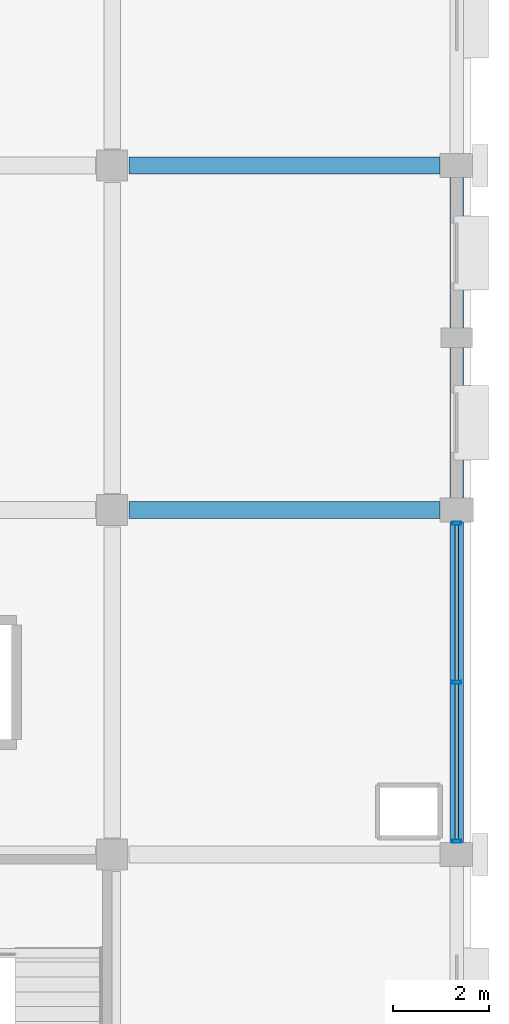
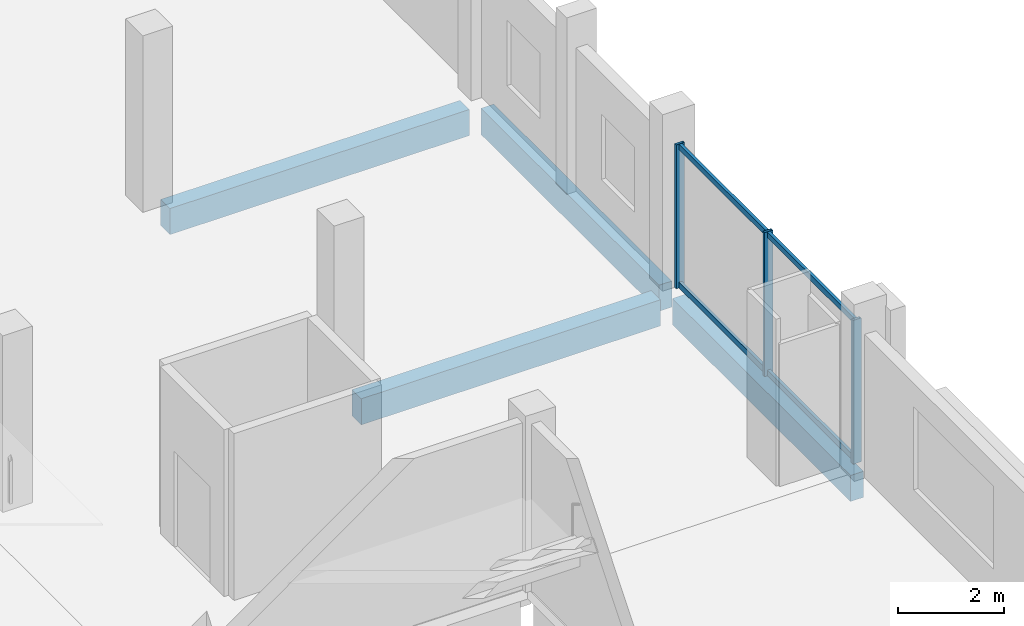
# One storey, part 36 of 77: 7 members, 4 beams, 1 element without a shape of its own.
"""IFC4 building model written with IfcOpenShell, lengths in metres."""

from ifc_helpers import new_model, si_unit, direction, frame, origin, origin_2d, place, context, subcontext, project, spatial, rectangle, hollow_rectangle, extrude, material, layer, layer_set, material_profile, profile_set, type_object, element, aggregate, save


model = new_model("IFC4")

# Units and contexts
model_context = context("Model", 3, precision=1e-05, world=origin(), true_north=direction((0.0, 1.0)))
body_context = subcontext(model_context, "Body", "Model", "MODEL_VIEW")
ifc_project = project(units=[si_unit("LENGTHUNIT", "METRE"), si_unit("AREAUNIT", "SQUARE_METRE"), si_unit("VOLUMEUNIT", "CUBIC_METRE"), si_unit("PLANEANGLEUNIT", "RADIAN"), si_unit("MASSUNIT", "GRAM", prefix="KILO")], contexts=[model_context])

# Site, building, storey
site_placement = place(None, origin())
site = spatial("IfcSite", under=ifc_project, at=site_placement, CompositionType="ELEMENT")
building_placement = place(site_placement, origin())
building = spatial("IfcBuilding", under=site, at=building_placement, Name="Kangsadwip Square Police Headquarters", CompositionType="ELEMENT")
storey_placement = place(building_placement, frame((0.0, 0.0, 17.550048828125)))
storey = spatial("IfcBuildingStorey", under=building, at=storey_placement, Name="L04", CompositionType="ELEMENT", Elevation=17.550048828125)

# Curtain wall, members
ifc_material_1 = material(Name="Thermally broken anodised aluminium AW-6063-T6", Category="aluminium")
ifc_layer = layer(ifc_material_1, 0.159912109375)
ifc_layer_set = layer_set([ifc_layer], Name="Thermally broken anodised aluminium AW-6063-T6")
curtain_wall_type = type_object("IfcCurtainWallType", Name="UnitisedCw6710x3300", PredefinedType="NOTDEFINED", material=ifc_layer_set)
curtain_wall_placement = place(storey_placement, origin())
curtain_wall = element("IfcCurtainWall", 1, at=curtain_wall_placement, inside=storey, type_object=curtain_wall_type, Name="Curtain Wall CW-L04-1656-0650", PredefinedType="NOTDEFINED")
ifc_material_2 = material(Name="Thermally broken anodised aluminium AW-6063-T6", Category="aluminium")
ifc_material_profile_1 = material_profile(ifc_material_2, hollow_rectangle(XDim=0.06494140625, YDim=0.179931640625, WallThickness=0.00390625, at=origin_2d()), Name="CWM 180X65X4")
ifc_profile_set_1 = profile_set([ifc_material_profile_1], Name="Thermally broken anodised aluminium AW-6063-T6")
member_type_1 = type_object("IfcMemberType", Name="CwMullion160x65", PredefinedType="MULLION", material=ifc_profile_set_1)
member_1_placement = place(storey_placement, frame((165.60009765625, 65.077392578125, 0.0), z_axis=(0.0, 0.0, 1.0), x_axis=(0.0, 1.0, 0.0)))
member_1 = element("IfcMember", 2, at=member_1_placement, type_object=member_type_1, Name="CW-45 mullion 1", PredefinedType="MULLION", context=body_context, shape_type="SweptSolid", body=[
    extrude(hollow_rectangle(XDim=0.06494140625, YDim=0.179931640625, WallThickness=0.00390625, at=origin_2d()), origin(), (0.0, 0.0, 1.0), 3.300048828125),
])
member_2_placement = place(storey_placement, frame((165.60009765625, 68.39990234375, 0.0), z_axis=(0.0, 0.0, 1.0), x_axis=(0.0, 1.0, 0.0)))
member_2 = element("IfcMember", 3, at=member_2_placement, type_object=member_type_1, Name="CW-45 mullion 2", PredefinedType="MULLION", context=body_context, shape_type="SweptSolid", body=[
    extrude(hollow_rectangle(XDim=0.06494140625, YDim=0.179931640625, WallThickness=0.00390625, at=origin_2d()), origin(), (0.0, 0.0, 1.0), 3.300048828125),
])
member_3_placement = place(storey_placement, frame((165.60009765625, 71.722412109375, 0.0), z_axis=(0.0, 0.0, 1.0), x_axis=(0.0, 1.0, 0.0)))
member_3 = element("IfcMember", 4, at=member_3_placement, type_object=member_type_1, Name="CW-45 mullion 3", PredefinedType="MULLION", context=body_context, shape_type="SweptSolid", body=[
    extrude(hollow_rectangle(XDim=0.06494140625, YDim=0.179931640625, WallThickness=0.00390625, at=origin_2d()), origin(), (0.0, 0.0, 1.0), 3.300048828125),
])
ifc_material_3 = material(Name="Thermally broken anodised aluminium AW-6063-T6", Category="aluminium")
ifc_material_profile_2 = material_profile(ifc_material_3, hollow_rectangle(XDim=0.06494140625, YDim=0.1298828125, WallThickness=0.00390625, at=origin_2d()), Name="CWT 130X65X4")
ifc_profile_set_2 = profile_set([ifc_material_profile_2], Name="Thermally broken anodised aluminium AW-6063-T6")
member_type_2 = type_object("IfcMemberType", Name="CwTransom140x60", PredefinedType="USERDEFINED", material=ifc_profile_set_2)
member_4_placement = place(storey_placement, frame((165.60009765625, 65.110107421875, 0.06494140625), z_axis=(0.0, 1.0, 0.0), x_axis=(-1.0, 0.0, 0.0)))
member_4 = element("IfcMember", 5, at=member_4_placement, type_object=member_type_2, Name="CW-45 transom 1.1", ObjectType="TRANSOM", PredefinedType="USERDEFINED", context=body_context, shape_type="SweptSolid", body=[
    extrude(hollow_rectangle(XDim=0.06494140625, YDim=0.1298828125, WallThickness=0.00390625, at=origin_2d()), origin(), (0.0, 0.0, 1.0), 3.25732421875),
])
member_5_placement = place(storey_placement, frame((165.60009765625, 65.110107421875, 3.23486328125), z_axis=(0.0, 1.0, 0.0), x_axis=(-1.0, 0.0, 0.0)))
member_5 = element("IfcMember", 6, at=member_5_placement, type_object=member_type_2, Name="CW-45 transom 1.2", ObjectType="TRANSOM", PredefinedType="USERDEFINED", context=body_context, shape_type="SweptSolid", body=[
    extrude(hollow_rectangle(XDim=0.06494140625, YDim=0.1298828125, WallThickness=0.00390625, at=origin_2d()), origin(), (0.0, 0.0, 1.0), 3.25732421875),
])
member_6_placement = place(storey_placement, frame((165.60009765625, 68.4326171875, 0.06494140625), z_axis=(0.0, 1.0, 0.0), x_axis=(-1.0, 0.0, 0.0)))
member_6 = element("IfcMember", 7, at=member_6_placement, type_object=member_type_2, Name="CW-45 transom 2.1", ObjectType="TRANSOM", PredefinedType="USERDEFINED", context=body_context, shape_type="SweptSolid", body=[
    extrude(hollow_rectangle(XDim=0.06494140625, YDim=0.1298828125, WallThickness=0.00390625, at=origin_2d()), origin(), (0.0, 0.0, 1.0), 3.25732421875),
])
member_7_placement = place(storey_placement, frame((165.60009765625, 68.4326171875, 3.23486328125), z_axis=(0.0, 1.0, 0.0), x_axis=(-1.0, 0.0, 0.0)))
member_7 = element("IfcMember", 8, at=member_7_placement, type_object=member_type_2, Name="CW-45 transom 2.2", ObjectType="TRANSOM", PredefinedType="USERDEFINED", context=body_context, shape_type="SweptSolid", body=[
    extrude(hollow_rectangle(XDim=0.06494140625, YDim=0.1298828125, WallThickness=0.00390625, at=origin_2d()), origin(), (0.0, 0.0, 1.0), 3.25732421875),
])
aggregate(curtain_wall, [member_1, member_2, member_3, member_4, member_5, member_6, member_7])

# Beams
ifc_material_4 = material(Name="Concrete M35 (35 MPa)", Category="concrete")
ifc_material_profile_3 = material_profile(ifc_material_4, rectangle(XDim=0.35009765625, YDim=0.60009765625, at=origin_2d()), Name="RC BM 600X350")
ifc_profile_set_3 = profile_set([ifc_material_profile_3], Name="Concrete M35 (35 MPa)")
beam_type_1 = type_object("IfcBeamType", Name="RcBeam600x350", PredefinedType="BEAM", material=ifc_profile_set_3)
for number, where, z_axis, x_axis, name in (
    (9, (158.75, 72.0, -0.5400390625), (1.0, 0.0, 0.0), (0.0, 1.0, 0.0), "Beam BM-L04-X-22-10"),
    (10, (158.75, 79.199951171875, -0.5400390625), (1.0, 0.0, 0.0), (0.0, 1.0, 0.0), "Beam BM-L04-X-22-11"),
):
    element("IfcBeam", number, at=place(storey_placement, frame(where, z_axis=z_axis, x_axis=x_axis)), inside=storey, type_object=beam_type_1, Name=name, PredefinedType="BEAM", context=body_context, shape_type="SweptSolid", body=[
        extrude(rectangle(XDim=0.35009765625, YDim=0.60009765625, at=origin_2d()), origin(), (0.0, 0.0, 1.0), 6.5),
    ])
ifc_material_5 = material(Name="Concrete M40 (40 MPa)", Category="concrete")
ifc_material_profile_4 = material_profile(ifc_material_5, rectangle(XDim=0.280029296875, YDim=0.60009765625, at=origin_2d()), Name="RC SPN 600X280")
ifc_profile_set_4 = profile_set([ifc_material_profile_4], Name="Concrete M40 (40 MPa)")
beam_type_2 = type_object("IfcBeamType", Name="RcSpandrel600x280", PredefinedType="SPANDREL", material=ifc_profile_set_4)
for number, where, z_axis, x_axis, name in (
    (11, (165.60009765625, 65.050048828125, -0.5400390625), (0.0, 1.0, 0.0), (-1.0, 0.0, 0.0), "Beam BM-L04-Y-23-09"),
    (12, (165.60009765625, 72.25, -0.5400390625), (0.0, 1.0, 0.0), (-1.0, 0.0, 0.0), "Beam BM-L04-Y-23-10"),
):
    element("IfcBeam", number, at=place(storey_placement, frame(where, z_axis=z_axis, x_axis=x_axis)), inside=storey, type_object=beam_type_2, Name=name, PredefinedType="SPANDREL", context=body_context, shape_type="SweptSolid", body=[
        extrude(rectangle(XDim=0.280029296875, YDim=0.60009765625, at=origin_2d()), origin(), (0.0, 0.0, 1.0), 6.699951171875),
    ])

save(model, "model.ifc")
